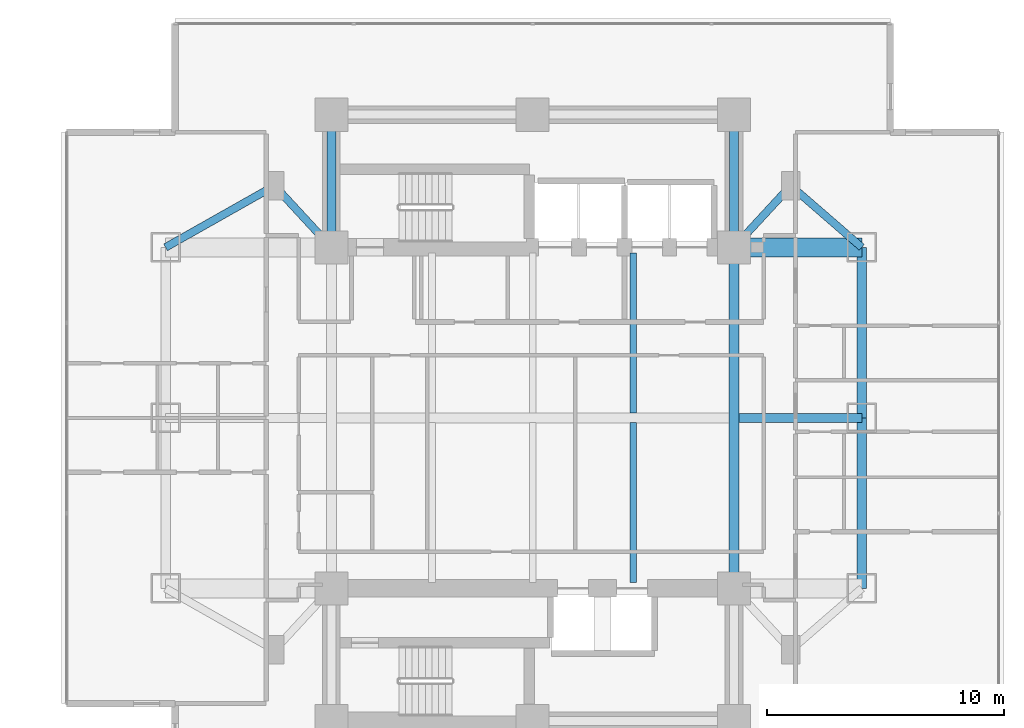
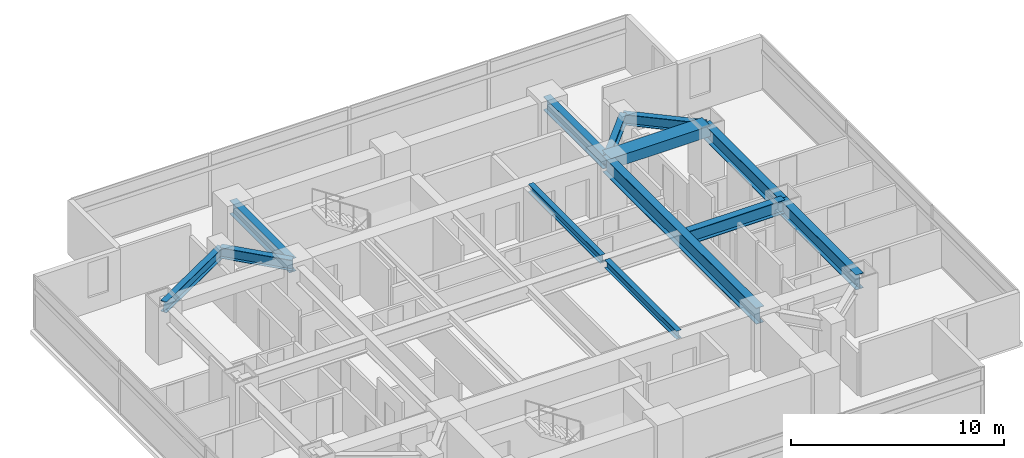
# One storey, part 10 of 26: 13 beams.
"""IFC4 building model written with IfcOpenShell, lengths in metres."""

from ifc_helpers import new_model, si_unit, direction, frame, origin, origin_2d, place, context, subcontext, project, spatial, rectangle, i_section, extrude, material, material_profile, profile_set, type_object, element, save


model = new_model("IFC4")

# Units and contexts
model_context = context("Model", 3, precision=1e-05, world=origin(), true_north=direction((0.0, 1.0)))
body_context = subcontext(model_context, "Body", "Model", "MODEL_VIEW")
ifc_project = project(units=[si_unit("LENGTHUNIT", "METRE"), si_unit("AREAUNIT", "SQUARE_METRE"), si_unit("VOLUMEUNIT", "CUBIC_METRE"), si_unit("PLANEANGLEUNIT", "RADIAN"), si_unit("MASSUNIT", "GRAM", prefix="KILO")], contexts=[model_context])

# Site, building, storey
site_placement = place(None, origin())
site = spatial("IfcSite", under=ifc_project, at=site_placement, CompositionType="ELEMENT")
building_placement = place(site_placement, origin())
building = spatial("IfcBuilding", under=site, at=building_placement, Name="Mirazonda Arch Towers", CompositionType="ELEMENT")
storey_placement = place(building_placement, frame((0.0, 0.0, 48.800048828125)))
storey = spatial("IfcBuildingStorey", under=building, at=storey_placement, Name="L13", CompositionType="ELEMENT", Elevation=48.800048828125)

# Beams
ifc_material_1 = material(Name="Steel ASTM A992 Grade 50", Category="steel")
ifc_material_profile_1 = material_profile(ifc_material_1, i_section(OverallWidth=0.39990234375, OverallDepth=0.85595703125, WebThickness=0.018310546875, FlangeThickness=0.029296875, at=origin_2d()), Name="W33X201")
ifc_profile_set_1 = profile_set([ifc_material_profile_1], Name="Steel ASTM A992 Grade 50")
beam_type_1 = type_object("IfcBeamType", Name="BM-EXT-W33X201", PredefinedType="USERDEFINED", material=ifc_profile_set_1)
for number, where, z_axis, x_axis, name in (
    (1, (90.39990234375, 20.800048828125, 2.6318359375), (0.0, 1.0, 0.0), (-1.0, 0.0, 0.0), "L13 Floor Beam BM-T2-L13-NS-E-20"),
    (2, (90.39990234375, 28.0, 2.6318359375), (0.0, 1.0, 0.0), (-1.0, 0.0, 0.0), "L13 Floor Beam BM-T2-L13-NS-E-28"),
):
    element("IfcBeam", number, at=place(storey_placement, frame(where, z_axis=z_axis, x_axis=x_axis)), inside=storey, type_object=beam_type_1, Name=name, ObjectType="GIRDER", PredefinedType="USERDEFINED", context=body_context, shape_type="SweptSolid", body=[
        extrude(i_section(OverallWidth=0.39990234375, OverallDepth=0.85595703125, WebThickness=0.018310546875, FlangeThickness=0.029296875, at=origin_2d()), origin(), (0.0, 0.0, 1.0), 7.199951171875),
    ])
ifc_material_profile_2 = material_profile(ifc_material_1, i_section(OverallWidth=0.280029296875, OverallDepth=0.462890625, WebThickness=0.0107421875, FlangeThickness=0.017333984375, at=origin_2d()), Name="W18X76")
ifc_profile_set_2 = profile_set([ifc_material_profile_2], Name="Steel ASTM A992 Grade 50")
beam_type_2 = type_object("IfcBeamType", Name="BM-INT-W18X76", PredefinedType="JOIST", material=ifc_profile_set_2)
for number, where, z_axis, x_axis, name in (
    (3, (80.75, 21.0400390625, 2.828369140625), (0.0, 1.0, 0.0), (-1.0, 0.0, 0.0), "L13 Floor Beam BM-T2-L13-J-807-20"),
    (4, (80.75, 28.205078125, 2.828369140625), (0.0, 1.0, 0.0), (-1.0, 0.0, 0.0), "L13 Floor Beam BM-T2-L13-J-807-28"),
):
    element("IfcBeam", number, at=place(storey_placement, frame(where, z_axis=z_axis, x_axis=x_axis)), inside=storey, type_object=beam_type_2, Name=name, PredefinedType="JOIST", context=body_context, shape_type="SweptSolid", body=[
        extrude(i_section(OverallWidth=0.280029296875, OverallDepth=0.462890625, WebThickness=0.0107421875, FlangeThickness=0.017333984375, at=origin_2d()), origin(), (0.0, 0.0, 1.0), 6.7548828125),
    ])
ifc_material_profile_3 = material_profile(ifc_material_1, i_section(OverallWidth=0.324951171875, OverallDepth=0.615966796875, WebThickness=0.013916015625, FlangeThickness=0.021484375, at=origin_2d()), Name="W24X117")
ifc_profile_set_3 = profile_set([ifc_material_profile_3], Name="Steel ASTM A992 Grade 50")
beam_type_3 = type_object("IfcBeamType", Name="BM-INT-W24X117", PredefinedType="BEAM", material=ifc_profile_set_3)
beam_1_placement = place(storey_placement, frame((65.60009765625, 37.800048828125, 2.751953125), z_axis=(0.678251444854, -0.734829897019, 0.0), x_axis=(0.734829897019, 0.678251444854, 0.0)))
element("IfcBeam", 5, at=beam_1_placement, inside=storey, type_object=beam_type_3, Name="L13 Floor Beam BM-T2-L13-PL-NW1", PredefinedType="BEAM", context=body_context, shape_type="SweptSolid", body=[
    extrude(i_section(OverallWidth=0.324951171875, OverallDepth=0.615966796875, WebThickness=0.013916015625, FlangeThickness=0.021484375, at=origin_2d()), origin(), (0.0, 0.0, 1.0), 3.538330078125),
])
beam_2_placement = place(storey_placement, frame((65.60009765625, 37.800048828125, 2.751953125), z_axis=(-0.870559396632, -0.492063346467, 0.0), x_axis=(0.492063346467, -0.870559396632, 0.0)))
element("IfcBeam", 6, at=beam_2_placement, inside=storey, type_object=beam_type_3, Name="L13 Floor Beam BM-T2-L13-PL-NW2", PredefinedType="BEAM", context=body_context, shape_type="SweptSolid", body=[
    extrude(i_section(OverallWidth=0.324951171875, OverallDepth=0.615966796875, WebThickness=0.013916015625, FlangeThickness=0.021484375, at=origin_2d()), origin(), (0.0, 0.0, 1.0), 5.2841796875),
])
beam_3_placement = place(storey_placement, frame((87.39990234375, 37.800048828125, 2.751953125), z_axis=(-0.678251444854, -0.734829897019, 0.0), x_axis=(0.734829897019, -0.678251444854, 0.0)))
element("IfcBeam", 7, at=beam_3_placement, inside=storey, type_object=beam_type_3, Name="L13 Floor Beam BM-T2-L13-PL-NE1", PredefinedType="BEAM", context=body_context, shape_type="SweptSolid", body=[
    extrude(i_section(OverallWidth=0.324951171875, OverallDepth=0.615966796875, WebThickness=0.013916015625, FlangeThickness=0.021484375, at=origin_2d()), origin(), (0.0, 0.0, 1.0), 3.538330078125),
])
beam_4_placement = place(storey_placement, frame((87.39990234375, 37.800048828125, 2.751953125), z_axis=(0.755676908098, -0.654944585876, 0.0), x_axis=(0.654944585876, 0.755676908098, 0.0)))
element("IfcBeam", 8, at=beam_4_placement, inside=storey, type_object=beam_type_3, Name="L13 Floor Beam BM-T2-L13-PL-NE2", PredefinedType="BEAM", context=body_context, shape_type="SweptSolid", body=[
    extrude(i_section(OverallWidth=0.324951171875, OverallDepth=0.615966796875, WebThickness=0.013916015625, FlangeThickness=0.021484375, at=origin_2d()), origin(), (0.0, 0.0, 1.0), 3.969970703125),
])
ifc_material_profile_4 = material_profile(ifc_material_1, i_section(OverallWidth=0.381103515625, OverallDepth=0.77294921875, WebThickness=0.0166015625, FlangeThickness=0.027099609375, at=origin_2d()), Name="W30X173")
ifc_profile_set_4 = profile_set([ifc_material_profile_4], Name="Steel ASTM A992 Grade 50")
beam_type_4 = type_object("IfcBeamType", Name="BM-INT-W30X173", PredefinedType="USERDEFINED", material=ifc_profile_set_4)
for number, where, z_axis, x_axis, name in (
    (9, (68.0, 35.199951171875, 2.67333984375), (0.0, 1.0, 0.0), (-1.0, 0.0, 0.0), "L13 Floor Beam BM-T2-L13-CNW"),
    (10, (85.0, 35.199951171875, 2.67333984375), (0.0, 1.0, 0.0), (-1.0, 0.0, 0.0), "L13 Floor Beam BM-T2-L13-CNE"),
):
    element("IfcBeam", number, at=place(storey_placement, frame(where, z_axis=z_axis, x_axis=x_axis)), inside=storey, type_object=beam_type_4, Name=name, ObjectType="GIRDER", PredefinedType="USERDEFINED", context=body_context, shape_type="SweptSolid", body=[
        extrude(i_section(OverallWidth=0.381103515625, OverallDepth=0.77294921875, WebThickness=0.0166015625, FlangeThickness=0.027099609375, at=origin_2d()), origin(), (0.0, 0.0, 1.0), 5.60009765625),
    ])
beam_5_placement = place(storey_placement, frame((85.208984375, 28.0, 2.67333984375), z_axis=(1.0, 0.0, 0.0), x_axis=(0.0, 1.0, 0.0)))
element("IfcBeam", 11, at=beam_5_placement, inside=storey, type_object=beam_type_4, Name="L13 Floor Beam BM-T2-L13-GE2", ObjectType="GIRDER", PredefinedType="USERDEFINED", context=body_context, shape_type="SweptSolid", body=[
    extrude(i_section(OverallWidth=0.381103515625, OverallDepth=0.77294921875, WebThickness=0.0166015625, FlangeThickness=0.027099609375, at=origin_2d()), origin(), (0.0, 0.0, 1.0), 5.19091796875),
])
ifc_material_profile_5 = material_profile(ifc_material_1, i_section(OverallWidth=0.41796875, OverallDepth=0.927001953125, WebThickness=0.019287109375, FlangeThickness=0.031982421875, at=origin_2d()), Name="W36X231")
ifc_profile_set_5 = profile_set([ifc_material_profile_5], Name="Steel ASTM A992 Grade 50")
beam_type_5 = type_object("IfcBeamType", Name="BM-INT-W36X231", PredefinedType="USERDEFINED", material=ifc_profile_set_5)
beam_6_placement = place(storey_placement, frame((85.0, 20.800048828125, 2.596435546875), z_axis=(0.0, 1.0, 0.0), x_axis=(-1.0, 0.0, 0.0)))
element("IfcBeam", 12, at=beam_6_placement, inside=storey, type_object=beam_type_5, Name="L13 Floor Beam BM-T2-L13-NS-CE-FULL", ObjectType="GIRDER", PredefinedType="USERDEFINED", context=body_context, shape_type="SweptSolid", body=[
    extrude(i_section(OverallWidth=0.41796875, OverallDepth=0.927001953125, WebThickness=0.019287109375, FlangeThickness=0.031982421875, at=origin_2d()), origin(), (0.0, 0.0, 1.0), 14.39990234375),
])
ifc_material_2 = material(Name="Concrete C60/75", Category="concrete")
ifc_material_profile_6 = material_profile(ifc_material_2, rectangle(XDim=0.800048828125, YDim=0.60009765625, at=origin_2d()), Name="RCCB800x600")
ifc_profile_set_6 = profile_set([ifc_material_profile_6], Name="Concrete C60/75")
beam_type_6 = type_object("IfcBeamType", Name="CB-INT-RCCB800x600", PredefinedType="SPANDREL", material=ifc_profile_set_6)
beam_7_placement = place(storey_placement, frame((85.0, 35.199951171875, 2.760009765625), z_axis=(1.0, 0.0, 0.0), x_axis=(0.0, 1.0, 0.0)))
element("IfcBeam", 13, at=beam_7_placement, inside=storey, type_object=beam_type_6, Name="L13 Floor Beam CBC-T2-L13-NE", PredefinedType="SPANDREL", context=body_context, shape_type="SweptSolid", body=[
    extrude(rectangle(XDim=0.800048828125, YDim=0.60009765625, at=origin_2d()), origin(), (0.0, 0.0, 1.0), 5.39990234375),
])

save(model, "model.ifc")
